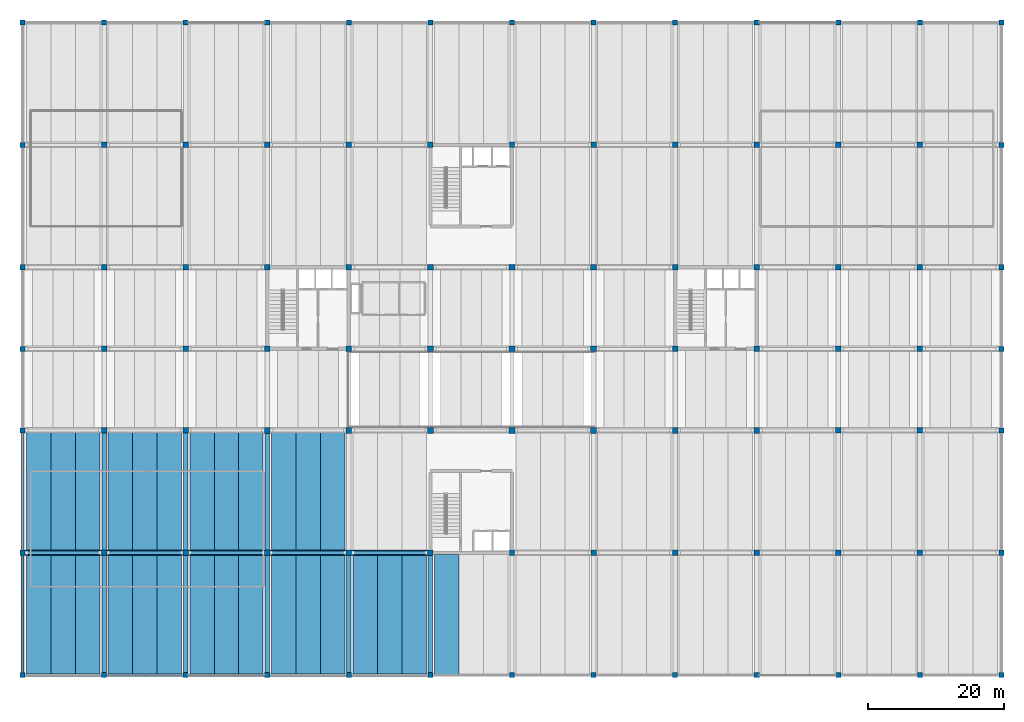
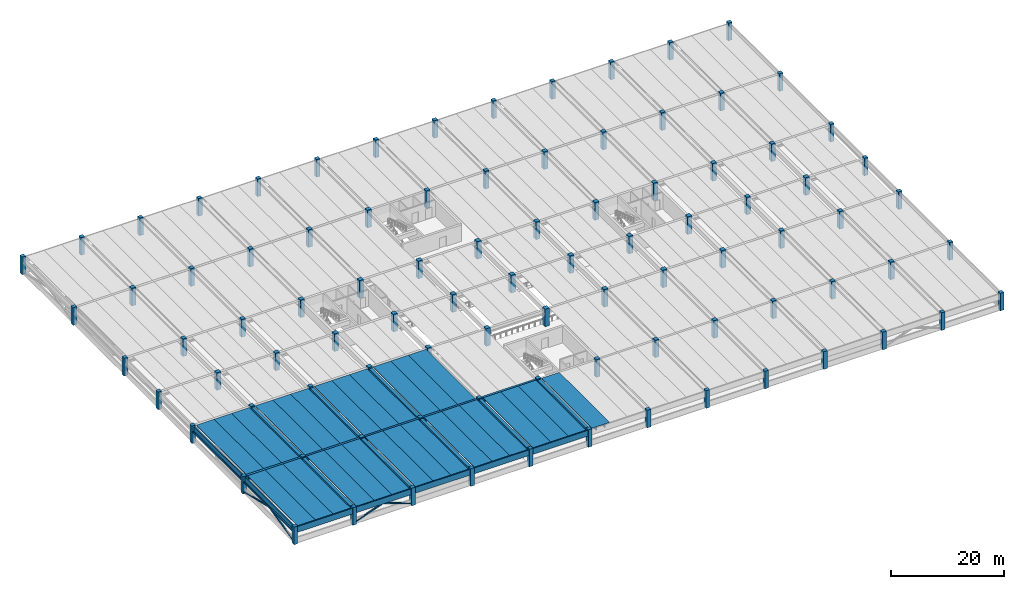
# One storey, part 1 of 16: 91 columns, 48 beams, 4 members.
"""IFC4 building model written with IfcOpenShell, lengths in metres."""

from ifc_helpers import new_model, si_unit, direction, frame, origin, origin_2d, place, context, subcontext, project, spatial, polyline, rectangle, hollow_rectangle, outline, extrude, material, material_profile, profile_set, type_object, element, save


model = new_model("IFC4")

# Units and contexts
model_context = context("Model", 3, precision=1e-05, world=origin(), true_north=direction((0.0, 1.0)))
body_context = subcontext(model_context, "Body", "Model", "MODEL_VIEW")
ifc_project = project(units=[si_unit("LENGTHUNIT", "METRE"), si_unit("AREAUNIT", "SQUARE_METRE"), si_unit("VOLUMEUNIT", "CUBIC_METRE"), si_unit("PLANEANGLEUNIT", "RADIAN"), si_unit("MASSUNIT", "GRAM", prefix="KILO")], contexts=[model_context])

# Site, building, storey
site_placement = place(None, origin())
site = spatial("IfcSite", under=ifc_project, at=site_placement, CompositionType="ELEMENT")
building_placement = place(site_placement, origin())
building = spatial("IfcBuilding", under=site, at=building_placement, Name="Girod Span Mobility Hub", CompositionType="ELEMENT")
storey_placement = place(building_placement, frame((0.0, 0.0, 28.60009765625)))
storey = spatial("IfcBuildingStorey", under=building, at=storey_placement, Name="L07", CompositionType="ELEMENT", Elevation=28.60009765625)

# Columns
ifc_material_1 = material(Name="Concrete C40/50", Category="concrete")
ifc_material_profile_1 = material_profile(ifc_material_1, rectangle(XDim=0.75, YDim=0.75, at=origin_2d()), Name="PC-COL-750X750")
ifc_profile_set_1 = profile_set([ifc_material_profile_1], Name="Concrete C40/50")
column_type_1 = type_object("IfcColumnType", Name="COL-PC-750X750", PredefinedType="COLUMN", material=ifc_profile_set_1)
for number, where, z_axis, x_axis, name in (
    (1, (12.0, 9.0, 0.0), (0.0, 0.0, 1.0), (1.0, 0.0, 0.0), "Column 2B L07"),
    (2, (12.0, 27.0, 0.0), (0.0, 0.0, 1.0), (1.0, 0.0, 0.0), "Column 2C L07"),
    (3, (12.0, 45.0, 0.0), (0.0, 0.0, 1.0), (1.0, 0.0, 0.0), "Column 2D L07"),
    (4, (12.0, 57.0, 0.0), (0.0, 0.0, 1.0), (1.0, 0.0, 0.0), "Column 2E L07"),
    (5, (12.0, 69.0, 0.0), (0.0, 0.0, 1.0), (1.0, 0.0, 0.0), "Column 2F L07"),
    (6, (12.0, 87.0, 0.0), (0.0, 0.0, 1.0), (1.0, 0.0, 0.0), "Column 2G L07"),
    (7, (12.0, 105.0, 0.0), (0.0, 0.0, 1.0), (1.0, 0.0, 0.0), "Column 2H L07"),
    (8, (24.0, 9.0, 0.0), (0.0, 0.0, 1.0), (1.0, 0.0, 0.0), "Column 3B L07"),
    (9, (24.0, 105.0, 0.0), (0.0, 0.0, 1.0), (1.0, 0.0, 0.0), "Column 3H L07"),
    (10, (36.0, 9.0, 0.0), (0.0, 0.0, 1.0), (1.0, 0.0, 0.0), "Column 4B L07"),
    (11, (36.0, 105.0, 0.0), (0.0, 0.0, 1.0), (1.0, 0.0, 0.0), "Column 4H L07"),
    (12, (48.0, 9.0, 0.0), (0.0, 0.0, 1.0), (1.0, 0.0, 0.0), "Column 5B L07"),
    (13, (48.0, 105.0, 0.0), (0.0, 0.0, 1.0), (1.0, 0.0, 0.0), "Column 5H L07"),
    (14, (60.0, 9.0, 0.0), (0.0, 0.0, 1.0), (1.0, 0.0, 0.0), "Column 6B L07"),
    (15, (60.0, 105.0, 0.0), (0.0, 0.0, 1.0), (1.0, 0.0, 0.0), "Column 6H L07"),
    (16, (72.0, 9.0, 0.0), (0.0, 0.0, 1.0), (1.0, 0.0, 0.0), "Column 7B L07"),
    (17, (72.0, 105.0, 0.0), (0.0, 0.0, 1.0), (1.0, 0.0, 0.0), "Column 7H L07"),
    (18, (84.0, 9.0, 0.0), (0.0, 0.0, 1.0), (1.0, 0.0, 0.0), "Column 8B L07"),
    (19, (84.0, 105.0, 0.0), (0.0, 0.0, 1.0), (1.0, 0.0, 0.0), "Column 8H L07"),
    (20, (96.0, 9.0, 0.0), (0.0, 0.0, 1.0), (1.0, 0.0, 0.0), "Column 9B L07"),
    (21, (96.0, 105.0, 0.0), (0.0, 0.0, 1.0), (1.0, 0.0, 0.0), "Column 9H L07"),
    (22, (108.0, 9.0, 0.0), (0.0, 0.0, 1.0), (1.0, 0.0, 0.0), "Column 10B L07"),
    (23, (108.0, 105.0, 0.0), (0.0, 0.0, 1.0), (1.0, 0.0, 0.0), "Column 10H L07"),
    (24, (120.0, 9.0, 0.0), (0.0, 0.0, 1.0), (1.0, 0.0, 0.0), "Column 11B L07"),
    (25, (120.0, 105.0, 0.0), (0.0, 0.0, 1.0), (1.0, 0.0, 0.0), "Column 11H L07"),
    (26, (132.0, 9.0, 0.0), (0.0, 0.0, 1.0), (1.0, 0.0, 0.0), "Column 12B L07"),
    (27, (132.0, 105.0, 0.0), (0.0, 0.0, 1.0), (1.0, 0.0, 0.0), "Column 12H L07"),
    (28, (144.0, 9.0, 0.0), (0.0, 0.0, 1.0), (1.0, 0.0, 0.0), "Column 13B L07"),
    (29, (144.0, 105.0, 0.0), (0.0, 0.0, 1.0), (1.0, 0.0, 0.0), "Column 13H L07"),
    (30, (156.0, 9.0, 0.0), (0.0, 0.0, 1.0), (1.0, 0.0, 0.0), "Column 14B L07"),
    (31, (156.0, 27.0, 0.0), (0.0, 0.0, 1.0), (1.0, 0.0, 0.0), "Column 14C L07"),
    (32, (156.0, 45.0, 0.0), (0.0, 0.0, 1.0), (1.0, 0.0, 0.0), "Column 14D L07"),
    (33, (156.0, 57.0, 0.0), (0.0, 0.0, 1.0), (1.0, 0.0, 0.0), "Column 14E L07"),
    (34, (156.0, 69.0, 0.0), (0.0, 0.0, 1.0), (1.0, 0.0, 0.0), "Column 14F L07"),
    (35, (156.0, 87.0, 0.0), (0.0, 0.0, 1.0), (1.0, 0.0, 0.0), "Column 14G L07"),
    (36, (156.0, 105.0, 0.0), (0.0, 0.0, 1.0), (1.0, 0.0, 0.0), "Column 14H L07"),
):
    element("IfcColumn", number, at=place(storey_placement, frame(where, z_axis=z_axis, x_axis=x_axis)), inside=storey, type_object=column_type_1, Name=name, PredefinedType="COLUMN", context=body_context, shape_type="SweptSolid", body=[
        extrude(rectangle(XDim=0.75, YDim=0.75, at=origin_2d()), origin(), (0.0, 0.0, 1.0), 3.7998046875),
    ])
ifc_material_2 = material(Name="Concrete C40/50", Category="concrete")
ifc_material_profile_2 = material_profile(ifc_material_2, rectangle(XDim=0.800048828125, YDim=0.800048828125, at=origin_2d()), Name="PC-COL-800X800")
ifc_profile_set_2 = profile_set([ifc_material_profile_2], Name="Concrete C40/50")
column_type_2 = type_object("IfcColumnType", Name="COL-PC-800X800", PredefinedType="COLUMN", material=ifc_profile_set_2)
for number, where, z_axis, x_axis, name in (
    (37, (24.0, 27.0, 0.0), (0.0, 0.0, 1.0), (1.0, 0.0, 0.0), "Column 3C L07"),
    (38, (24.0, 45.0, 0.0), (0.0, 0.0, 1.0), (1.0, 0.0, 0.0), "Column 3D L07"),
    (39, (24.0, 57.0, 0.0), (0.0, 0.0, 1.0), (1.0, 0.0, 0.0), "Column 3E L07"),
    (40, (24.0, 69.0, 0.0), (0.0, 0.0, 1.0), (1.0, 0.0, 0.0), "Column 3F L07"),
    (41, (24.0, 87.0, 0.0), (0.0, 0.0, 1.0), (1.0, 0.0, 0.0), "Column 3G L07"),
    (42, (36.0, 27.0, 0.0), (0.0, 0.0, 1.0), (1.0, 0.0, 0.0), "Column 4C L07"),
    (43, (36.0, 45.0, 0.0), (0.0, 0.0, 1.0), (1.0, 0.0, 0.0), "Column 4D L07"),
    (44, (36.0, 57.0, 0.0), (0.0, 0.0, 1.0), (1.0, 0.0, 0.0), "Column 4E L07"),
    (45, (36.0, 69.0, 0.0), (0.0, 0.0, 1.0), (1.0, 0.0, 0.0), "Column 4F L07"),
    (46, (36.0, 87.0, 0.0), (0.0, 0.0, 1.0), (1.0, 0.0, 0.0), "Column 4G L07"),
    (47, (48.0, 27.0, 0.0), (0.0, 0.0, 1.0), (1.0, 0.0, 0.0), "Column 5C L07"),
    (48, (48.0, 87.0, 0.0), (0.0, 0.0, 1.0), (1.0, 0.0, 0.0), "Column 5G L07"),
    (49, (60.0, 27.0, 0.0), (0.0, 0.0, 1.0), (1.0, 0.0, 0.0), "Column 6C L07"),
    (50, (60.0, 87.0, 0.0), (0.0, 0.0, 1.0), (1.0, 0.0, 0.0), "Column 6G L07"),
    (51, (72.0, 27.0, 0.0), (0.0, 0.0, 1.0), (1.0, 0.0, 0.0), "Column 7C L07"),
    (52, (72.0, 87.0, 0.0), (0.0, 0.0, 1.0), (1.0, 0.0, 0.0), "Column 7G L07"),
    (53, (84.0, 27.0, 0.0), (0.0, 0.0, 1.0), (1.0, 0.0, 0.0), "Column 8C L07"),
    (54, (84.0, 87.0, 0.0), (0.0, 0.0, 1.0), (1.0, 0.0, 0.0), "Column 8G L07"),
    (55, (96.0, 27.0, 0.0), (0.0, 0.0, 1.0), (1.0, 0.0, 0.0), "Column 9C L07"),
    (56, (96.0, 87.0, 0.0), (0.0, 0.0, 1.0), (1.0, 0.0, 0.0), "Column 9G L07"),
    (57, (108.0, 27.0, 0.0), (0.0, 0.0, 1.0), (1.0, 0.0, 0.0), "Column 10C L07"),
    (58, (108.0, 87.0, 0.0), (0.0, 0.0, 1.0), (1.0, 0.0, 0.0), "Column 10G L07"),
    (59, (120.0, 27.0, 0.0), (0.0, 0.0, 1.0), (1.0, 0.0, 0.0), "Column 11C L07"),
    (60, (120.0, 87.0, 0.0), (0.0, 0.0, 1.0), (1.0, 0.0, 0.0), "Column 11G L07"),
    (61, (132.0, 27.0, 0.0), (0.0, 0.0, 1.0), (1.0, 0.0, 0.0), "Column 12C L07"),
    (62, (132.0, 45.0, 0.0), (0.0, 0.0, 1.0), (1.0, 0.0, 0.0), "Column 12D L07"),
    (63, (132.0, 57.0, 0.0), (0.0, 0.0, 1.0), (1.0, 0.0, 0.0), "Column 12E L07"),
    (64, (132.0, 69.0, 0.0), (0.0, 0.0, 1.0), (1.0, 0.0, 0.0), "Column 12F L07"),
    (65, (132.0, 87.0, 0.0), (0.0, 0.0, 1.0), (1.0, 0.0, 0.0), "Column 12G L07"),
    (66, (144.0, 27.0, 0.0), (0.0, 0.0, 1.0), (1.0, 0.0, 0.0), "Column 13C L07"),
    (67, (144.0, 45.0, 0.0), (0.0, 0.0, 1.0), (1.0, 0.0, 0.0), "Column 13D L07"),
    (68, (144.0, 57.0, 0.0), (0.0, 0.0, 1.0), (1.0, 0.0, 0.0), "Column 13E L07"),
    (69, (144.0, 69.0, 0.0), (0.0, 0.0, 1.0), (1.0, 0.0, 0.0), "Column 13F L07"),
    (70, (144.0, 87.0, 0.0), (0.0, 0.0, 1.0), (1.0, 0.0, 0.0), "Column 13G L07"),
):
    element("IfcColumn", number, at=place(storey_placement, frame(where, z_axis=z_axis, x_axis=x_axis)), inside=storey, type_object=column_type_2, Name=name, PredefinedType="COLUMN", context=body_context, shape_type="SweptSolid", body=[
        extrude(rectangle(XDim=0.800048828125, YDim=0.800048828125, at=origin_2d()), origin(), (0.0, 0.0, 1.0), 3.7998046875),
    ])
ifc_material_3 = material(Name="Concrete C40/50", Category="concrete")
ifc_material_profile_3 = material_profile(ifc_material_3, rectangle(XDim=0.85009765625, YDim=0.85009765625, at=origin_2d()), Name="PC-COL-850X850")
ifc_profile_set_3 = profile_set([ifc_material_profile_3], Name="Concrete C40/50")
column_type_3 = type_object("IfcColumnType", Name="COL-PC-850X850", PredefinedType="COLUMN", material=ifc_profile_set_3)
for number, where, z_axis, x_axis, name in (
    (71, (48.0, 45.0, 0.0), (0.0, 0.0, 1.0), (1.0, 0.0, 0.0), "Column 5D L07"),
    (72, (48.0, 57.0, 0.0), (0.0, 0.0, 1.0), (1.0, 0.0, 0.0), "Column 5E L07"),
    (73, (48.0, 69.0, 0.0), (0.0, 0.0, 1.0), (1.0, 0.0, 0.0), "Column 5F L07"),
    (74, (60.0, 45.0, 0.0), (0.0, 0.0, 1.0), (1.0, 0.0, 0.0), "Column 6D L07"),
    (75, (60.0, 57.0, 0.0), (0.0, 0.0, 1.0), (1.0, 0.0, 0.0), "Column 6E L07"),
    (76, (60.0, 69.0, 0.0), (0.0, 0.0, 1.0), (1.0, 0.0, 0.0), "Column 6F L07"),
    (77, (72.0, 45.0, 0.0), (0.0, 0.0, 1.0), (1.0, 0.0, 0.0), "Column 7D L07"),
    (78, (72.0, 57.0, 0.0), (0.0, 0.0, 1.0), (1.0, 0.0, 0.0), "Column 7E L07"),
    (79, (72.0, 69.0, 0.0), (0.0, 0.0, 1.0), (1.0, 0.0, 0.0), "Column 7F L07"),
    (80, (84.0, 45.0, 0.0), (0.0, 0.0, 1.0), (1.0, 0.0, 0.0), "Column 8D L07"),
    (81, (84.0, 57.0, 0.0), (0.0, 0.0, 1.0), (1.0, 0.0, 0.0), "Column 8E L07"),
    (82, (84.0, 69.0, 0.0), (0.0, 0.0, 1.0), (1.0, 0.0, 0.0), "Column 8F L07"),
    (83, (96.0, 45.0, 0.0), (0.0, 0.0, 1.0), (1.0, 0.0, 0.0), "Column 9D L07"),
    (84, (96.0, 57.0, 0.0), (0.0, 0.0, 1.0), (1.0, 0.0, 0.0), "Column 9E L07"),
    (85, (96.0, 69.0, 0.0), (0.0, 0.0, 1.0), (1.0, 0.0, 0.0), "Column 9F L07"),
    (86, (108.0, 45.0, 0.0), (0.0, 0.0, 1.0), (1.0, 0.0, 0.0), "Column 10D L07"),
    (87, (108.0, 57.0, 0.0), (0.0, 0.0, 1.0), (1.0, 0.0, 0.0), "Column 10E L07"),
    (88, (108.0, 69.0, 0.0), (0.0, 0.0, 1.0), (1.0, 0.0, 0.0), "Column 10F L07"),
    (89, (120.0, 45.0, 0.0), (0.0, 0.0, 1.0), (1.0, 0.0, 0.0), "Column 11D L07"),
    (90, (120.0, 57.0, 0.0), (0.0, 0.0, 1.0), (1.0, 0.0, 0.0), "Column 11E L07"),
    (91, (120.0, 69.0, 0.0), (0.0, 0.0, 1.0), (1.0, 0.0, 0.0), "Column 11F L07"),
):
    element("IfcColumn", number, at=place(storey_placement, frame(where, z_axis=z_axis, x_axis=x_axis)), inside=storey, type_object=column_type_3, Name=name, PredefinedType="COLUMN", context=body_context, shape_type="SweptSolid", body=[
        extrude(rectangle(XDim=0.85009765625, YDim=0.85009765625, at=origin_2d()), origin(), (0.0, 0.0, 1.0), 3.7998046875),
    ])

# Beams
ifc_material_4 = material(Name="Concrete C50/60", Category="concrete")
ifc_material_profile_4 = material_profile(ifc_material_4, outline(polyline([(-1.800048828125, 0.425048828125), (-1.800048828125, 0.324951171875), (-1.0, 0.324951171875), (-0.969970703125, -0.425048828125), (-0.830078125, -0.425048828125), (-0.800048828125, 0.324951171875), (0.800048828125, 0.324951171875), (0.830078125, -0.425048828125), (0.969970703125, -0.425048828125), (1.0, 0.324951171875), (1.800048828125, 0.324951171875), (1.800048828125, 0.425048828125), (-1.800048828125, 0.425048828125)])), Name="DT-3600X850")
ifc_profile_set_4 = profile_set([ifc_material_profile_4], Name="Concrete C50/60")
beam_type_1 = type_object("IfcBeamType", Name="BM-DT-3600X850", PredefinedType="JOIST", material=ifc_profile_set_4)
for number, where, z_axis, x_axis, name in (
    (92, (14.39990234375, 9.01708984375, 3.15478515625), (0.0, 1.0, 0.0), (-1.0, 0.0, 0.0), "Double-Tee Deck 2/B-1 L07"),
    (93, (18.0, 9.01708984375, 3.15478515625), (0.0, 1.0, 0.0), (-1.0, 0.0, 0.0), "Double-Tee Deck 2/B-2 L07"),
    (94, (21.60009765625, 9.01708984375, 3.15478515625), (0.0, 1.0, 0.0), (-1.0, 0.0, 0.0), "Double-Tee Deck 2/B-3 L07"),
):
    element("IfcBeam", number, at=place(storey_placement, frame(where, z_axis=z_axis, x_axis=x_axis)), inside=storey, type_object=beam_type_1, Name=name, PredefinedType="JOIST", context=body_context, shape_type="SweptSolid", body=[
        extrude(outline(polyline([(-1.800048828125, 0.425048828125), (-1.800048828125, 0.324951171875), (-1.0, 0.324951171875), (-0.969970703125, -0.425048828125), (-0.830078125, -0.425048828125), (-0.800048828125, 0.324951171875), (0.800048828125, 0.324951171875), (0.830078125, -0.425048828125), (0.969970703125, -0.425048828125), (1.0, 0.324951171875), (1.800048828125, 0.324951171875), (1.800048828125, 0.425048828125), (-1.800048828125, 0.425048828125)])), origin(), (0.0, 0.0, 1.0), 17.755859375),
    ])
for number, where, z_axis, x_axis, name in (
    (95, (14.39990234375, 27.22705078125, 3.15478515625), (0.0, 1.0, 0.0), (-1.0, 0.0, 0.0), "Double-Tee Deck 2/C-1 L07"),
    (96, (18.0, 27.22705078125, 3.15478515625), (0.0, 1.0, 0.0), (-1.0, 0.0, 0.0), "Double-Tee Deck 2/C-2 L07"),
    (97, (21.60009765625, 27.22705078125, 3.15478515625), (0.0, 1.0, 0.0), (-1.0, 0.0, 0.0), "Double-Tee Deck 2/C-3 L07"),
):
    element("IfcBeam", number, at=place(storey_placement, frame(where, z_axis=z_axis, x_axis=x_axis)), inside=storey, type_object=beam_type_1, Name=name, PredefinedType="JOIST", context=body_context, shape_type="SweptSolid", body=[
        extrude(outline(polyline([(-1.800048828125, 0.425048828125), (-1.800048828125, 0.324951171875), (-1.0, 0.324951171875), (-0.969970703125, -0.425048828125), (-0.830078125, -0.425048828125), (-0.800048828125, 0.324951171875), (0.800048828125, 0.324951171875), (0.830078125, -0.425048828125), (0.969970703125, -0.425048828125), (1.0, 0.324951171875), (1.800048828125, 0.324951171875), (1.800048828125, 0.425048828125), (-1.800048828125, 0.425048828125)])), origin(), (0.0, 0.0, 1.0), 17.5458984375),
    ])
for number, where, z_axis, x_axis, name in (
    (98, (26.39990234375, 9.01708984375, 3.15478515625), (0.0, 1.0, 0.0), (-1.0, 0.0, 0.0), "Double-Tee Deck 3/B-1 L07"),
    (99, (30.0, 9.01708984375, 3.15478515625), (0.0, 1.0, 0.0), (-1.0, 0.0, 0.0), "Double-Tee Deck 3/B-2 L07"),
    (100, (33.60009765625, 9.01708984375, 3.15478515625), (0.0, 1.0, 0.0), (-1.0, 0.0, 0.0), "Double-Tee Deck 3/B-3 L07"),
):
    element("IfcBeam", number, at=place(storey_placement, frame(where, z_axis=z_axis, x_axis=x_axis)), inside=storey, type_object=beam_type_1, Name=name, PredefinedType="JOIST", context=body_context, shape_type="SweptSolid", body=[
        extrude(outline(polyline([(-1.800048828125, 0.425048828125), (-1.800048828125, 0.324951171875), (-1.0, 0.324951171875), (-0.969970703125, -0.425048828125), (-0.830078125, -0.425048828125), (-0.800048828125, 0.324951171875), (0.800048828125, 0.324951171875), (0.830078125, -0.425048828125), (0.969970703125, -0.425048828125), (1.0, 0.324951171875), (1.800048828125, 0.324951171875), (1.800048828125, 0.425048828125), (-1.800048828125, 0.425048828125)])), origin(), (0.0, 0.0, 1.0), 17.755859375),
    ])
for number, where, z_axis, x_axis, name in (
    (101, (26.39990234375, 27.22705078125, 3.099853515625), (0.0, 1.0, 0.0), (-1.0, 0.0, 0.0), "Double-Tee Deck 3/C-1 L07"),
    (102, (30.0, 27.22705078125, 3.099853515625), (0.0, 1.0, 0.0), (-1.0, 0.0, 0.0), "Double-Tee Deck 3/C-2 L07"),
    (103, (33.60009765625, 27.22705078125, 3.099853515625), (0.0, 1.0, 0.0), (-1.0, 0.0, 0.0), "Double-Tee Deck 3/C-3 L07"),
):
    element("IfcBeam", number, at=place(storey_placement, frame(where, z_axis=z_axis, x_axis=x_axis)), inside=storey, type_object=beam_type_1, Name=name, PredefinedType="JOIST", context=body_context, shape_type="SweptSolid", body=[
        extrude(outline(polyline([(-1.800048828125, 0.425048828125), (-1.800048828125, 0.324951171875), (-1.0, 0.324951171875), (-0.969970703125, -0.425048828125), (-0.830078125, -0.425048828125), (-0.800048828125, 0.324951171875), (0.800048828125, 0.324951171875), (0.830078125, -0.425048828125), (0.969970703125, -0.425048828125), (1.0, 0.324951171875), (1.800048828125, 0.324951171875), (1.800048828125, 0.425048828125), (-1.800048828125, 0.425048828125)])), origin(), (0.0, 0.0, 1.0), 17.5458984375),
    ])
for number, where, z_axis, x_axis, name in (
    (104, (38.39990234375, 9.01708984375, 3.15478515625), (0.0, 1.0, 0.0), (-1.0, 0.0, 0.0), "Double-Tee Deck 4/B-1 L07"),
    (105, (42.0, 9.01708984375, 3.15478515625), (0.0, 1.0, 0.0), (-1.0, 0.0, 0.0), "Double-Tee Deck 4/B-2 L07"),
    (106, (45.60009765625, 9.01708984375, 3.15478515625), (0.0, 1.0, 0.0), (-1.0, 0.0, 0.0), "Double-Tee Deck 4/B-3 L07"),
):
    element("IfcBeam", number, at=place(storey_placement, frame(where, z_axis=z_axis, x_axis=x_axis)), inside=storey, type_object=beam_type_1, Name=name, PredefinedType="JOIST", context=body_context, shape_type="SweptSolid", body=[
        extrude(outline(polyline([(-1.800048828125, 0.425048828125), (-1.800048828125, 0.324951171875), (-1.0, 0.324951171875), (-0.969970703125, -0.425048828125), (-0.830078125, -0.425048828125), (-0.800048828125, 0.324951171875), (0.800048828125, 0.324951171875), (0.830078125, -0.425048828125), (0.969970703125, -0.425048828125), (1.0, 0.324951171875), (1.800048828125, 0.324951171875), (1.800048828125, 0.425048828125), (-1.800048828125, 0.425048828125)])), origin(), (0.0, 0.0, 1.0), 17.755859375),
    ])
for number, where, z_axis, x_axis, name in (
    (107, (38.39990234375, 27.22705078125, 3.099853515625), (0.0, 1.0, 0.0), (-1.0, 0.0, 0.0), "Double-Tee Deck 4/C-1 L07"),
    (108, (42.0, 27.22705078125, 3.099853515625), (0.0, 1.0, 0.0), (-1.0, 0.0, 0.0), "Double-Tee Deck 4/C-2 L07"),
    (109, (45.60009765625, 27.22705078125, 3.099853515625), (0.0, 1.0, 0.0), (-1.0, 0.0, 0.0), "Double-Tee Deck 4/C-3 L07"),
):
    element("IfcBeam", number, at=place(storey_placement, frame(where, z_axis=z_axis, x_axis=x_axis)), inside=storey, type_object=beam_type_1, Name=name, PredefinedType="JOIST", context=body_context, shape_type="SweptSolid", body=[
        extrude(outline(polyline([(-1.800048828125, 0.425048828125), (-1.800048828125, 0.324951171875), (-1.0, 0.324951171875), (-0.969970703125, -0.425048828125), (-0.830078125, -0.425048828125), (-0.800048828125, 0.324951171875), (0.800048828125, 0.324951171875), (0.830078125, -0.425048828125), (0.969970703125, -0.425048828125), (1.0, 0.324951171875), (1.800048828125, 0.324951171875), (1.800048828125, 0.425048828125), (-1.800048828125, 0.425048828125)])), origin(), (0.0, 0.0, 1.0), 17.5458984375),
    ])
for number, where, z_axis, x_axis, name in (
    (110, (50.39990234375, 9.01708984375, 3.15478515625), (0.0, 1.0, 0.0), (-1.0, 0.0, 0.0), "Double-Tee Deck 5/B-1 L07"),
    (111, (54.0, 9.01708984375, 3.15478515625), (0.0, 1.0, 0.0), (-1.0, 0.0, 0.0), "Double-Tee Deck 5/B-2 L07"),
    (112, (57.60009765625, 9.01708984375, 3.15478515625), (0.0, 1.0, 0.0), (-1.0, 0.0, 0.0), "Double-Tee Deck 5/B-3 L07"),
):
    element("IfcBeam", number, at=place(storey_placement, frame(where, z_axis=z_axis, x_axis=x_axis)), inside=storey, type_object=beam_type_1, Name=name, PredefinedType="JOIST", context=body_context, shape_type="SweptSolid", body=[
        extrude(outline(polyline([(-1.800048828125, 0.425048828125), (-1.800048828125, 0.324951171875), (-1.0, 0.324951171875), (-0.969970703125, -0.425048828125), (-0.830078125, -0.425048828125), (-0.800048828125, 0.324951171875), (0.800048828125, 0.324951171875), (0.830078125, -0.425048828125), (0.969970703125, -0.425048828125), (1.0, 0.324951171875), (1.800048828125, 0.324951171875), (1.800048828125, 0.425048828125), (-1.800048828125, 0.425048828125)])), origin(), (0.0, 0.0, 1.0), 17.755859375),
    ])
for number, where, z_axis, x_axis, name in (
    (113, (50.39990234375, 27.22705078125, 3.099853515625), (0.0, 1.0, 0.0), (-1.0, 0.0, 0.0), "Double-Tee Deck 5/C-1 L07"),
    (114, (54.0, 27.22705078125, 3.099853515625), (0.0, 1.0, 0.0), (-1.0, 0.0, 0.0), "Double-Tee Deck 5/C-2 L07"),
    (115, (57.60009765625, 27.22705078125, 3.099853515625), (0.0, 1.0, 0.0), (-1.0, 0.0, 0.0), "Double-Tee Deck 5/C-3 L07"),
):
    element("IfcBeam", number, at=place(storey_placement, frame(where, z_axis=z_axis, x_axis=x_axis)), inside=storey, type_object=beam_type_1, Name=name, PredefinedType="JOIST", context=body_context, shape_type="SweptSolid", body=[
        extrude(outline(polyline([(-1.800048828125, 0.425048828125), (-1.800048828125, 0.324951171875), (-1.0, 0.324951171875), (-0.969970703125, -0.425048828125), (-0.830078125, -0.425048828125), (-0.800048828125, 0.324951171875), (0.800048828125, 0.324951171875), (0.830078125, -0.425048828125), (0.969970703125, -0.425048828125), (1.0, 0.324951171875), (1.800048828125, 0.324951171875), (1.800048828125, 0.425048828125), (-1.800048828125, 0.425048828125)])), origin(), (0.0, 0.0, 1.0), 17.5458984375),
    ])
for number, where, z_axis, x_axis, name in (
    (116, (62.39990234375, 9.01708984375, 3.15478515625), (0.0, 1.0, 0.0), (-1.0, 0.0, 0.0), "Double-Tee Deck 6/B-1 L07"),
    (117, (66.0, 9.01708984375, 3.15478515625), (0.0, 1.0, 0.0), (-1.0, 0.0, 0.0), "Double-Tee Deck 6/B-2 L07"),
    (118, (69.60009765625, 9.01708984375, 3.15478515625), (0.0, 1.0, 0.0), (-1.0, 0.0, 0.0), "Double-Tee Deck 6/B-3 L07"),
):
    element("IfcBeam", number, at=place(storey_placement, frame(where, z_axis=z_axis, x_axis=x_axis)), inside=storey, type_object=beam_type_1, Name=name, PredefinedType="JOIST", context=body_context, shape_type="SweptSolid", body=[
        extrude(outline(polyline([(-1.800048828125, 0.425048828125), (-1.800048828125, 0.324951171875), (-1.0, 0.324951171875), (-0.969970703125, -0.425048828125), (-0.830078125, -0.425048828125), (-0.800048828125, 0.324951171875), (0.800048828125, 0.324951171875), (0.830078125, -0.425048828125), (0.969970703125, -0.425048828125), (1.0, 0.324951171875), (1.800048828125, 0.324951171875), (1.800048828125, 0.425048828125), (-1.800048828125, 0.425048828125)])), origin(), (0.0, 0.0, 1.0), 17.755859375),
    ])
beam_1_placement = place(storey_placement, frame((74.39990234375, 9.01708984375, 3.15478515625), z_axis=(0.0, 1.0, 0.0), x_axis=(-1.0, 0.0, 0.0)))
element("IfcBeam", 119, at=beam_1_placement, inside=storey, type_object=beam_type_1, Name="Double-Tee Deck 7/B-1 L07", PredefinedType="JOIST", context=body_context, shape_type="SweptSolid", body=[
    extrude(outline(polyline([(-1.800048828125, 0.425048828125), (-1.800048828125, 0.324951171875), (-1.0, 0.324951171875), (-0.969970703125, -0.425048828125), (-0.830078125, -0.425048828125), (-0.800048828125, 0.324951171875), (0.800048828125, 0.324951171875), (0.830078125, -0.425048828125), (0.969970703125, -0.425048828125), (1.0, 0.324951171875), (1.800048828125, 0.324951171875), (1.800048828125, 0.425048828125), (-1.800048828125, 0.425048828125)])), origin(), (0.0, 0.0, 1.0), 17.760986328125),
])
ifc_material_5 = material(Name="Concrete C50/60", Category="concrete")
ifc_material_profile_5 = material_profile(ifc_material_5, outline(polyline([(-0.39990234375, -0.449951171875), (0.39990234375, -0.449951171875), (0.39990234375, -0.14990234375), (0.22998046875, -0.14990234375), (0.22998046875, 0.449951171875), (-0.22998046875, 0.449951171875), (-0.22998046875, -0.14990234375), (-0.39990234375, -0.14990234375), (-0.39990234375, -0.449951171875)])), Name="IT-800X900")
ifc_profile_set_5 = profile_set([ifc_material_profile_5], Name="Concrete C50/60")
beam_type_2 = type_object("IfcBeamType", Name="BM-IT-800X900", PredefinedType="T_BEAM", material=ifc_profile_set_5)
beam_2_placement = place(storey_placement, frame((12.3720703125, 27.0, 3.1298828125), z_axis=(1.0, 0.0, 0.0), x_axis=(0.0, 1.0, 0.0)))
element("IfcBeam", 120, at=beam_2_placement, inside=storey, type_object=beam_type_2, Name="Girder 2-3/C L07", PredefinedType="T_BEAM", context=body_context, shape_type="SweptSolid", body=[
    extrude(outline(polyline([(-0.39990234375, -0.449951171875), (0.39990234375, -0.449951171875), (0.39990234375, -0.14990234375), (0.22998046875, -0.14990234375), (0.22998046875, 0.449951171875), (-0.22998046875, 0.449951171875), (-0.22998046875, -0.14990234375), (-0.39990234375, -0.14990234375), (-0.39990234375, -0.449951171875)])), origin(), (0.0, 0.0, 1.0), 11.23095703125),
])
for number, where, z_axis, x_axis, name in (
    (121, (24.39697265625, 27.0, 3.099853515625), (1.0, 0.0, 0.0), (0.0, 1.0, 0.0), "Girder 3-4/C L07"),
    (122, (36.39697265625, 27.0, 3.099853515625), (1.0, 0.0, 0.0), (0.0, 1.0, 0.0), "Girder 4-5/C L07"),
    (123, (48.39697265625, 27.0, 3.099853515625), (1.0, 0.0, 0.0), (0.0, 1.0, 0.0), "Girder 5-6/C L07"),
    (124, (60.39697265625, 27.0, 3.099853515625), (1.0, 0.0, 0.0), (0.0, 1.0, 0.0), "Girder 6-7/C L07"),
):
    element("IfcBeam", number, at=place(storey_placement, frame(where, z_axis=z_axis, x_axis=x_axis)), inside=storey, type_object=beam_type_2, Name=name, PredefinedType="T_BEAM", context=body_context, shape_type="SweptSolid", body=[
        extrude(outline(polyline([(-0.39990234375, -0.449951171875), (0.39990234375, -0.449951171875), (0.39990234375, -0.14990234375), (0.22998046875, -0.14990234375), (0.22998046875, 0.449951171875), (-0.22998046875, 0.449951171875), (-0.22998046875, -0.14990234375), (-0.39990234375, -0.14990234375), (-0.39990234375, -0.449951171875)])), origin(), (0.0, 0.0, 1.0), 11.2060546875),
    ])
ifc_material_6 = material(Name="Concrete C40/50", Category="concrete")
ifc_material_profile_6 = material_profile(ifc_material_6, outline(polyline([(-0.199951171875, -0.625), (0.199951171875, -0.625), (0.199951171875, -0.304931640625), (0.02001953125, -0.304931640625), (0.02001953125, 0.625), (-0.199951171875, 0.625), (-0.199951171875, -0.625)])), Name="SP-400X1250")
ifc_profile_set_6 = profile_set([ifc_material_profile_6], Name="Concrete C40/50")
beam_type_3 = type_object("IfcBeamType", Name="BM-SP-400X1250", PredefinedType="SPANDREL", material=ifc_profile_set_6)
for number, where, z_axis, x_axis, name in (
    (125, (12.3720703125, 9.0, 2.954833984375), (1.0, 0.0, 0.0), (0.0, 1.0, 0.0), "Girder 2-3/B L07"),
    (126, (24.3720703125, 9.0, 2.954833984375), (1.0, 0.0, 0.0), (0.0, 1.0, 0.0), "Girder 3-4/B L07"),
    (127, (36.3720703125, 9.0, 2.954833984375), (1.0, 0.0, 0.0), (0.0, 1.0, 0.0), "Girder 4-5/B L07"),
    (128, (48.3720703125, 9.0, 2.954833984375), (1.0, 0.0, 0.0), (0.0, 1.0, 0.0), "Girder 5-6/B L07"),
    (129, (60.3720703125, 9.0, 2.954833984375), (1.0, 0.0, 0.0), (0.0, 1.0, 0.0), "Girder 6-7/B L07"),
):
    element("IfcBeam", number, at=place(storey_placement, frame(where, z_axis=z_axis, x_axis=x_axis)), inside=storey, type_object=beam_type_3, Name=name, PredefinedType="SPANDREL", context=body_context, shape_type="SweptSolid", body=[
        extrude(outline(polyline([(-0.199951171875, -0.625), (0.199951171875, -0.625), (0.199951171875, -0.304931640625), (0.02001953125, -0.304931640625), (0.02001953125, 0.625), (-0.199951171875, 0.625), (-0.199951171875, -0.625)])), origin(), (0.0, 0.0, 1.0), 11.255859375),
    ])
for number, where, z_axis, x_axis, name in (
    (130, (12.0, 9.3720703125, 2.954833984375), (0.0, 1.0, 0.0), (-1.0, 0.0, 0.0), "Tie Girder 2/B-C L07"),
    (131, (12.0, 27.3720703125, 2.954833984375), (0.0, 1.0, 0.0), (-1.0, 0.0, 0.0), "Tie Girder 2/C-D L07"),
):
    element("IfcBeam", number, at=place(storey_placement, frame(where, z_axis=z_axis, x_axis=x_axis)), inside=storey, type_object=beam_type_3, Name=name, PredefinedType="SPANDREL", context=body_context, shape_type="SweptSolid", body=[
        extrude(outline(polyline([(-0.199951171875, -0.625), (0.199951171875, -0.625), (0.199951171875, -0.304931640625), (0.02001953125, -0.304931640625), (0.02001953125, 0.625), (-0.199951171875, 0.625), (-0.199951171875, -0.625)])), origin(), (0.0, 0.0, 1.0), 17.255859375),
    ])
ifc_material_7 = material(Name="Concrete C40/50", Category="concrete")
ifc_material_profile_7 = material_profile(ifc_material_7, rectangle(XDim=0.64990234375, YDim=1.0, at=origin_2d()), Name="TG-650X1000")
ifc_profile_set_7 = profile_set([ifc_material_profile_7], Name="Concrete C40/50")
beam_type_4 = type_object("IfcBeamType", Name="BM-TG-650X1000", PredefinedType="T_BEAM", material=ifc_profile_set_7)
beam_3_placement = place(storey_placement, frame((24.0, 9.3720703125, 3.079833984375), z_axis=(0.0, 1.0, 0.0), x_axis=(-1.0, 0.0, 0.0)))
element("IfcBeam", 132, at=beam_3_placement, inside=storey, type_object=beam_type_4, Name="Tie Girder 3/B-C L07", PredefinedType="T_BEAM", context=body_context, shape_type="SweptSolid", body=[
    extrude(rectangle(XDim=0.64990234375, YDim=1.0, at=origin_2d()), origin(), (0.0, 0.0, 1.0), 17.23095703125),
])
beam_4_placement = place(storey_placement, frame((24.0, 27.39697265625, 3.0498046875), z_axis=(0.0, 1.0, 0.0), x_axis=(-1.0, 0.0, 0.0)))
element("IfcBeam", 133, at=beam_4_placement, inside=storey, type_object=beam_type_4, Name="Tie Girder 3/C-D L07", PredefinedType="T_BEAM", context=body_context, shape_type="SweptSolid", body=[
    extrude(rectangle(XDim=0.64990234375, YDim=1.0, at=origin_2d()), origin(), (0.0, 0.0, 1.0), 17.2060546875),
])
beam_5_placement = place(storey_placement, frame((36.0, 9.3720703125, 3.079833984375), z_axis=(0.0, 1.0, 0.0), x_axis=(-1.0, 0.0, 0.0)))
element("IfcBeam", 134, at=beam_5_placement, inside=storey, type_object=beam_type_4, Name="Tie Girder 4/B-C L07", PredefinedType="T_BEAM", context=body_context, shape_type="SweptSolid", body=[
    extrude(rectangle(XDim=0.64990234375, YDim=1.0, at=origin_2d()), origin(), (0.0, 0.0, 1.0), 17.23095703125),
])
beam_6_placement = place(storey_placement, frame((36.0, 27.39697265625, 3.02490234375), z_axis=(0.0, 1.0, 0.0), x_axis=(-1.0, 0.0, 0.0)))
element("IfcBeam", 135, at=beam_6_placement, inside=storey, type_object=beam_type_4, Name="Tie Girder 4/C-D L07", PredefinedType="T_BEAM", context=body_context, shape_type="SweptSolid", body=[
    extrude(rectangle(XDim=0.64990234375, YDim=1.0, at=origin_2d()), origin(), (0.0, 0.0, 1.0), 17.2060546875),
])
beam_7_placement = place(storey_placement, frame((48.0, 9.3720703125, 3.079833984375), z_axis=(0.0, 1.0, 0.0), x_axis=(-1.0, 0.0, 0.0)))
element("IfcBeam", 136, at=beam_7_placement, inside=storey, type_object=beam_type_4, Name="Tie Girder 5/B-C L07", PredefinedType="T_BEAM", context=body_context, shape_type="SweptSolid", body=[
    extrude(rectangle(XDim=0.64990234375, YDim=1.0, at=origin_2d()), origin(), (0.0, 0.0, 1.0), 17.23095703125),
])
beam_8_placement = place(storey_placement, frame((48.0, 27.39697265625, 3.02490234375), z_axis=(0.0, 1.0, 0.0), x_axis=(-1.0, 0.0, 0.0)))
element("IfcBeam", 137, at=beam_8_placement, inside=storey, type_object=beam_type_4, Name="Tie Girder 5/C-D L07", PredefinedType="T_BEAM", context=body_context, shape_type="SweptSolid", body=[
    extrude(rectangle(XDim=0.64990234375, YDim=1.0, at=origin_2d()), origin(), (0.0, 0.0, 1.0), 17.180908203125),
])
for number, where, z_axis, x_axis, name in (
    (138, (60.0, 9.3720703125, 3.079833984375), (0.0, 1.0, 0.0), (-1.0, 0.0, 0.0), "Tie Girder 6/B-C L07"),
    (139, (72.0, 9.3720703125, 3.079833984375), (0.0, 1.0, 0.0), (-1.0, 0.0, 0.0), "Tie Girder 7/B-C L07"),
):
    element("IfcBeam", number, at=place(storey_placement, frame(where, z_axis=z_axis, x_axis=x_axis)), inside=storey, type_object=beam_type_4, Name=name, PredefinedType="T_BEAM", context=body_context, shape_type="SweptSolid", body=[
        extrude(rectangle(XDim=0.64990234375, YDim=1.0, at=origin_2d()), origin(), (0.0, 0.0, 1.0), 17.23095703125),
    ])

# Members
ifc_material_8 = material(Name="Steel HSS A500 Grade C", Category="steel")
ifc_material_profile_8 = material_profile(ifc_material_8, hollow_rectangle(XDim=0.25390625, YDim=0.25390625, WallThickness=0.01171875, InnerFilletRadius=0.01171875, OuterFilletRadius=0.023681640625, at=origin_2d()), Name="HSS254X254X12.7")
ifc_profile_set_8 = profile_set([ifc_material_profile_8], Name="Steel HSS A500 Grade C")
member_type = type_object("IfcMemberType", Name="MB-BR-HSS254", PredefinedType="BRACE", material=ifc_profile_set_8)
for number, where, z_axis, x_axis, name in (
    (140, (24.35498046875, 9.0, 0.349853515625), (0.939401354378, 0.0, 0.342819333459), (0.0, 1.0, 0.0), "Perimeter Chevron Brace 3/B-L L07"),
    (141, (35.64501953125, 9.0, 0.349853515625), (-0.939401354378, 0.0, 0.342819333459), (0.0, -1.0, 0.0), "Perimeter Chevron Brace 3/B-R L07"),
):
    element("IfcMember", number, at=place(storey_placement, frame(where, z_axis=z_axis, x_axis=x_axis)), inside=storey, type_object=member_type, Name=name, PredefinedType="BRACE", context=body_context, shape_type="SweptSolid", body=[
        extrude(hollow_rectangle(XDim=0.25390625, YDim=0.25390625, WallThickness=0.01171875, InnerFilletRadius=0.01171875, OuterFilletRadius=0.023681640625, at=origin_2d()), origin(), (0.0, 0.0, 1.0), 6.00927734375),
    ])
for number, where, z_axis, x_axis, name in (
    (142, (12.0, 9.35498046875, 0.349853515625), (0.0, 0.972762573306, 0.231803744523), (-1.0, 0.0, 0.0), "Side Chevron Brace 2/B-S L07"),
    (143, (12.0, 26.64501953125, 0.349853515625), (0.0, -0.972762573306, 0.231803744523), (1.0, 0.0, 0.0), "Side Chevron Brace 2/B-N L07"),
):
    element("IfcMember", number, at=place(storey_placement, frame(where, z_axis=z_axis, x_axis=x_axis)), inside=storey, type_object=member_type, Name=name, PredefinedType="BRACE", context=body_context, shape_type="SweptSolid", body=[
        extrude(hollow_rectangle(XDim=0.25390625, YDim=0.25390625, WallThickness=0.01171875, InnerFilletRadius=0.01171875, OuterFilletRadius=0.023681640625, at=origin_2d()), origin(), (0.0, 0.0, 1.0), 8.886962890625),
    ])

save(model, "model.ifc")
